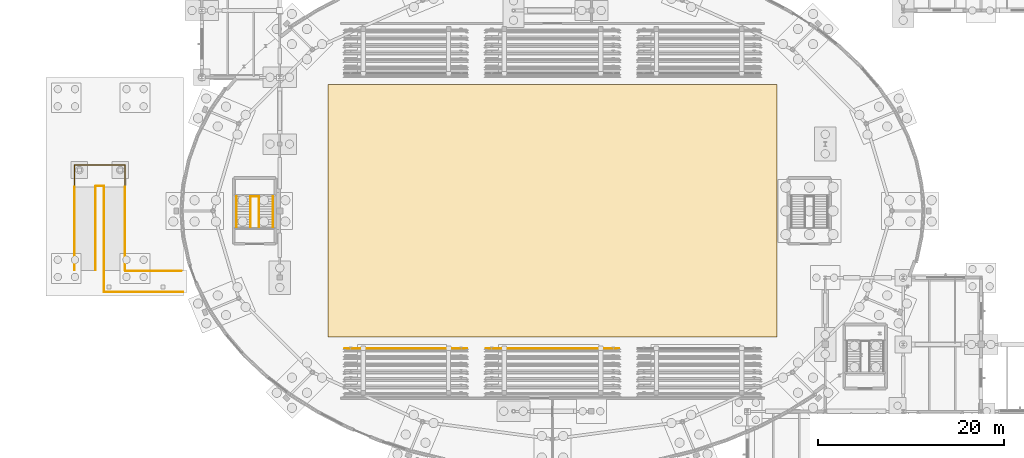
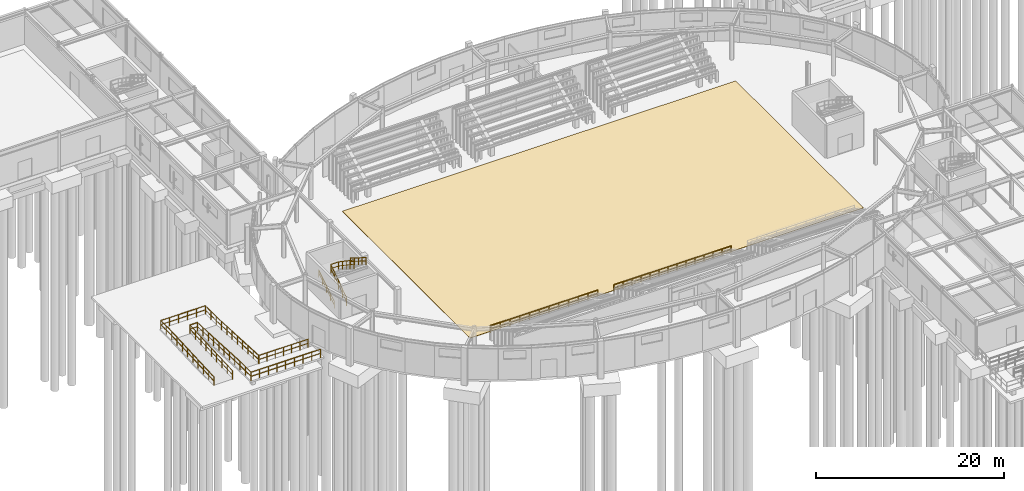
# One storey, part 72 of 93: 15 railings, 1 covering.
"""IFC4 building model written with IfcOpenShell, lengths in metres."""

from ifc_helpers import new_model, si_unit, derived_unit, direction, frame, origin, origin_2d, place, context, subcontext, project, spatial, polyline, circle, outline, extrude, material, layer, layer_set, type_object, element, save


model = new_model("IFC4")

# Units and contexts
model_context = context("Model", 3, precision=1e-05, world=origin(), true_north=direction((0.0, 1.0)))
body_context = subcontext(model_context, "Body", "Model", "MODEL_VIEW")
ifc_project = project(units=[si_unit("LENGTHUNIT", "METRE"), si_unit("AREAUNIT", "SQUARE_METRE"), si_unit("VOLUMEUNIT", "CUBIC_METRE"), si_unit("PLANEANGLEUNIT", "RADIAN"), si_unit("MASSUNIT", "GRAM", prefix="KILO"), derived_unit("THERMALTRANSMITTANCEUNIT", [(si_unit("MASSUNIT", "GRAM", prefix="KILO"), 1), (si_unit("TIMEUNIT", "SECOND"), -3), (si_unit("THERMODYNAMICTEMPERATUREUNIT", "KELVIN"), -1)])], contexts=[model_context])

# Site, building, storey
site_placement = place(None, origin())
site = spatial("IfcSite", under=ifc_project, at=site_placement, CompositionType="ELEMENT")
building_placement = place(site_placement, origin())
building = spatial("IfcBuilding", under=site, at=building_placement, Name="Kharveza Railside Sports Centre", CompositionType="ELEMENT")
storey_placement = place(building_placement, origin())
storey = spatial("IfcBuildingStorey", under=building, at=storey_placement, Name="L00", CompositionType="ELEMENT", Elevation=0.0)

# Covering
ifc_material_1 = material(Name="Sprung maple sports flooring")
ifc_layer = layer(ifc_material_1, 0.044921875, Name="Sprung maple sports flooring")
ifc_layer_set = layer_set([ifc_layer], Name="Sprung maple sports flooring")
covering_type = type_object("IfcCoveringType", Name="CV-FL01", PredefinedType="FLOORING", material=ifc_layer_set)
covering_placement = place(storey_placement, origin())
element("IfcCovering", 1, at=covering_placement, inside=storey, type_object=covering_type, Name="COV-FL-COURT1", PredefinedType="FLOORING", context=body_context, shape_type="SweptSolid", body=[
    extrude(outline(polyline([(30.39990234375, 64.0), (78.800048828125, 64.0), (78.800048828125, 36.800048828125), (30.39990234375, 36.800048828125), (30.39990234375, 64.0)])), origin(), (0.0, 0.0, 1.0), 0.044921875),
])

# Railings
ifc_material_2 = material(Name="Steel S275JR", Category="steel")
railing_type_1 = type_object("IfcRailingType", Name="RL-GD090", PredefinedType="GUARDRAIL", material=ifc_material_2)
railing_1_placement = place(storey_placement, frame((32.199951171875, 35.550048828125, 0.89990234375)))
element("IfcRailing", 2, at=railing_1_placement, inside=storey, type_object=railing_type_1, Name="RL-BOWL-FS-1", PredefinedType="GUARDRAIL", context=body_context, shape_type="SweptSolid", body=[
    extrude(circle(Radius=0.02392578125, at=origin_2d()), frame((0.0, 0.0, 0.8759765625), z_axis=(1.0, 0.0, 0.0), x_axis=(0.0, 1.0, 0.0)), (0.0, 0.0, 1.0), 13.199951171875),
    extrude(circle(Radius=0.01611328125, at=origin_2d()), frame((0.0, 0.0, 0.449951171875), z_axis=(1.0, 0.0, 0.0), x_axis=(0.0, 1.0, 0.0)), (0.0, 0.0, 1.0), 13.199951171875),
    extrude(circle(Radius=0.02099609375, at=origin_2d()), origin(), (0.0, 0.0, 1.0), 0.851806640625),
    extrude(circle(Radius=0.02099609375, at=origin_2d()), frame((1.199951171875, 0.0, 0.0)), (0.0, 0.0, 1.0), 0.851806640625),
    extrude(circle(Radius=0.02099609375, at=origin_2d()), frame((2.39990234375, 0.0, 0.0)), (0.0, 0.0, 1.0), 0.851806640625),
    extrude(circle(Radius=0.02099609375, at=origin_2d()), frame((3.60009765625, 0.0, 0.0)), (0.0, 0.0, 1.0), 0.851806640625),
    extrude(circle(Radius=0.02099609375, at=origin_2d()), frame((4.800048828125, 0.0, 0.0)), (0.0, 0.0, 1.0), 0.851806640625),
    extrude(circle(Radius=0.02099609375, at=origin_2d()), frame((6.0, 0.0, 0.0)), (0.0, 0.0, 1.0), 0.851806640625),
    extrude(circle(Radius=0.02099609375, at=origin_2d()), frame((7.199951171875, 0.0, 0.0)), (0.0, 0.0, 1.0), 0.851806640625),
    extrude(circle(Radius=0.02099609375, at=origin_2d()), frame((8.39990234375, 0.0, 0.0)), (0.0, 0.0, 1.0), 0.851806640625),
    extrude(circle(Radius=0.02099609375, at=origin_2d()), frame((9.599853515625, 0.0, 0.0)), (0.0, 0.0, 1.0), 0.851806640625),
    extrude(circle(Radius=0.02099609375, at=origin_2d()), frame((10.800048828125, 0.0, 0.0)), (0.0, 0.0, 1.0), 0.851806640625),
    extrude(circle(Radius=0.02099609375, at=origin_2d()), frame((12.0, 0.0, 0.0)), (0.0, 0.0, 1.0), 0.851806640625),
    extrude(circle(Radius=0.02099609375, at=origin_2d()), frame((13.199951171875, 0.0, 0.0)), (0.0, 0.0, 1.0), 0.851806640625),
])
railing_2_placement = place(storey_placement, frame((47.39990234375, 35.550048828125, 0.89990234375)))
element("IfcRailing", 3, at=railing_2_placement, inside=storey, type_object=railing_type_1, Name="RL-BOWL-FS-2", PredefinedType="GUARDRAIL", context=body_context, shape_type="SweptSolid", body=[
    extrude(circle(Radius=0.02392578125, at=origin_2d()), frame((0.0, 0.0, 0.8759765625), z_axis=(1.0, 0.0, 0.0), x_axis=(0.0, 1.0, 0.0)), (0.0, 0.0, 1.0), 14.400146484375),
    extrude(circle(Radius=0.01611328125, at=origin_2d()), frame((0.0, 0.0, 0.449951171875), z_axis=(1.0, 0.0, 0.0), x_axis=(0.0, 1.0, 0.0)), (0.0, 0.0, 1.0), 14.400146484375),
    extrude(circle(Radius=0.02099609375, at=origin_2d()), origin(), (0.0, 0.0, 1.0), 0.851806640625),
    extrude(circle(Radius=0.02099609375, at=origin_2d()), frame((1.107666015625, 0.0, 0.0)), (0.0, 0.0, 1.0), 0.851806640625),
    extrude(circle(Radius=0.02099609375, at=origin_2d()), frame((2.21533203125, 0.0, 0.0)), (0.0, 0.0, 1.0), 0.851806640625),
    extrude(circle(Radius=0.02099609375, at=origin_2d()), frame((3.322998046875, 0.0, 0.0)), (0.0, 0.0, 1.0), 0.851806640625),
    extrude(circle(Radius=0.02099609375, at=origin_2d()), frame((4.430908203125, 0.0, 0.0)), (0.0, 0.0, 1.0), 0.851806640625),
    extrude(circle(Radius=0.02099609375, at=origin_2d()), frame((5.53857421875, 0.0, 0.0)), (0.0, 0.0, 1.0), 0.851806640625),
    extrude(circle(Radius=0.02099609375, at=origin_2d()), frame((6.646240234375, 0.0, 0.0)), (0.0, 0.0, 1.0), 0.851806640625),
    extrude(circle(Radius=0.02099609375, at=origin_2d()), frame((7.75390625, 0.0, 0.0)), (0.0, 0.0, 1.0), 0.851806640625),
    extrude(circle(Radius=0.02099609375, at=origin_2d()), frame((8.861572265625, 0.0, 0.0)), (0.0, 0.0, 1.0), 0.851806640625),
    extrude(circle(Radius=0.02099609375, at=origin_2d()), frame((9.96923828125, 0.0, 0.0)), (0.0, 0.0, 1.0), 0.851806640625),
    extrude(circle(Radius=0.02099609375, at=origin_2d()), frame((11.0771484375, 0.0, 0.0)), (0.0, 0.0, 1.0), 0.851806640625),
    extrude(circle(Radius=0.02099609375, at=origin_2d()), frame((12.184814453125, 0.0, 0.0)), (0.0, 0.0, 1.0), 0.851806640625),
    extrude(circle(Radius=0.02099609375, at=origin_2d()), frame((13.29248046875, 0.0, 0.0)), (0.0, 0.0, 1.0), 0.851806640625),
    extrude(circle(Radius=0.02099609375, at=origin_2d()), frame((14.400146484375, 0.0, 0.0)), (0.0, 0.0, 1.0), 0.851806640625),
])
railing_type_2 = type_object("IfcRailingType", Name="RL-GD110", PredefinedType="GUARDRAIL", material=ifc_material_2)
for number, where, name in (
    (4, (3.06005859375, 44.0, -0.89990234375), "RL-DRUMW-FL1-W"),
    (5, (5.340087890625, 44.0, -0.89990234375), "RL-DRUMW-FL1-E"),
):
    element("IfcRailing", number, at=place(storey_placement, frame(where)), inside=storey, type_object=railing_type_2, Name=name, PredefinedType="GUARDRAIL", context=body_context, shape_type="SweptSolid", body=[
        extrude(circle(Radius=0.02392578125, at=origin_2d()), frame((0.0, 0.0, 1.09619140625), z_axis=(0.0, 0.998752609117, 0.049932211876), x_axis=(-1.0, 0.0, 0.0)), (0.0, 0.0, 1.0), 9.01123046875),
        extrude(circle(Radius=0.01611328125, at=origin_2d()), frame((0.0, 0.0, 0.56005859375), z_axis=(0.0, 0.998752609117, 0.049932211876), x_axis=(-1.0, 0.0, 0.0)), (0.0, 0.0, 1.0), 9.01123046875),
        extrude(circle(Radius=0.02099609375, at=origin_2d()), origin(), (0.0, 0.0, 1.0), 1.072021484375),
        extrude(circle(Radius=0.02099609375, at=origin_2d()), frame((0.0, 1.125, 0.05615234375)), (0.0, 0.0, 1.0), 1.072021484375),
        extrude(circle(Radius=0.02099609375, at=origin_2d()), frame((0.0, 2.25, 0.112548828125)), (0.0, 0.0, 1.0), 1.072021484375),
        extrude(circle(Radius=0.02099609375, at=origin_2d()), frame((0.0, 3.375, 0.168701171875)), (0.0, 0.0, 1.0), 1.072021484375),
        extrude(circle(Radius=0.02099609375, at=origin_2d()), frame((0.0, 4.5, 0.22509765625)), (0.0, 0.0, 1.0), 1.072021484375),
        extrude(circle(Radius=0.02099609375, at=origin_2d()), frame((0.0, 5.625, 0.28125)), (0.0, 0.0, 1.0), 1.072021484375),
        extrude(circle(Radius=0.02099609375, at=origin_2d()), frame((0.0, 6.75, 0.33740234375)), (0.0, 0.0, 1.0), 1.072021484375),
        extrude(circle(Radius=0.02099609375, at=origin_2d()), frame((0.0, 7.875, 0.393798828125)), (0.0, 0.0, 1.0), 1.072021484375),
        extrude(circle(Radius=0.02099609375, at=origin_2d()), frame((0.0, 9.0, 0.449951171875)), (0.0, 0.0, 1.0), 1.072021484375),
    ])
for number, where, name in (
    (6, (6.260009765625, 53.0, -0.449951171875), "RL-DRUMW-FL2-W"),
    (7, (8.5400390625, 53.0, -0.449951171875), "RL-DRUMW-FL2-E"),
):
    element("IfcRailing", number, at=place(storey_placement, frame(where)), inside=storey, type_object=railing_type_2, Name=name, PredefinedType="GUARDRAIL", context=body_context, shape_type="SweptSolid", body=[
        extrude(circle(Radius=0.02392578125, at=origin_2d()), frame((0.0, 0.0, 1.09619140625), z_axis=(0.0, -0.998752609117, 0.049932211876), x_axis=(1.0, 0.0, 0.0)), (0.0, 0.0, 1.0), 9.01123046875),
        extrude(circle(Radius=0.01611328125, at=origin_2d()), frame((0.0, 0.0, 0.56005859375), z_axis=(0.0, -0.998752609117, 0.049932211876), x_axis=(1.0, 0.0, 0.0)), (0.0, 0.0, 1.0), 9.01123046875),
        extrude(circle(Radius=0.02099609375, at=origin_2d()), origin(), (0.0, 0.0, 1.0), 1.072021484375),
        extrude(circle(Radius=0.02099609375, at=origin_2d()), frame((0.0, -1.125, 0.05615234375)), (0.0, 0.0, 1.0), 1.072021484375),
        extrude(circle(Radius=0.02099609375, at=origin_2d()), frame((0.0, -2.25, 0.112548828125)), (0.0, 0.0, 1.0), 1.072021484375),
        extrude(circle(Radius=0.02099609375, at=origin_2d()), frame((0.0, -3.375, 0.168701171875)), (0.0, 0.0, 1.0), 1.072021484375),
        extrude(circle(Radius=0.02099609375, at=origin_2d()), frame((0.0, -4.5, 0.22509765625)), (0.0, 0.0, 1.0), 1.072021484375),
        extrude(circle(Radius=0.02099609375, at=origin_2d()), frame((0.0, -5.625, 0.28125)), (0.0, 0.0, 1.0), 1.072021484375),
        extrude(circle(Radius=0.02099609375, at=origin_2d()), frame((0.0, -6.75, 0.33740234375)), (0.0, 0.0, 1.0), 1.072021484375),
        extrude(circle(Radius=0.02099609375, at=origin_2d()), frame((0.0, -7.875, 0.393798828125)), (0.0, 0.0, 1.0), 1.072021484375),
        extrude(circle(Radius=0.02099609375, at=origin_2d()), frame((0.0, -9.0, 0.449951171875)), (0.0, 0.0, 1.0), 1.072021484375),
    ])
railing_3_placement = place(storey_placement, frame((3.06005859375, 53.0, -0.449951171875)))
element("IfcRailing", 8, at=railing_3_placement, inside=storey, type_object=railing_type_2, Name="RL-DRUMW-LND1", PredefinedType="GUARDRAIL", context=body_context, shape_type="SweptSolid", body=[
    extrude(circle(Radius=0.02392578125, at=origin_2d()), frame((0.0, 0.0, 1.09619140625), z_axis=(0.0, 1.0, 0.0), x_axis=(-1.0, 0.0, 0.0)), (0.0, 0.0, 1.0), 2.340087890625),
    extrude(circle(Radius=0.01611328125, at=origin_2d()), frame((0.0, 0.0, 0.56005859375), z_axis=(0.0, 1.0, 0.0), x_axis=(-1.0, 0.0, 0.0)), (0.0, 0.0, 1.0), 2.340087890625),
    extrude(circle(Radius=0.02392578125, at=origin_2d()), frame((0.0, 2.340087890625, 1.09619140625), z_axis=(1.0, 0.0, 0.0), x_axis=(0.0, 1.0, 0.0)), (0.0, 0.0, 1.0), 5.47998046875),
    extrude(circle(Radius=0.01611328125, at=origin_2d()), frame((0.0, 2.340087890625, 0.56005859375), z_axis=(1.0, 0.0, 0.0), x_axis=(0.0, 1.0, 0.0)), (0.0, 0.0, 1.0), 5.47998046875),
    extrude(circle(Radius=0.02392578125, at=origin_2d()), frame((5.47998046875, 2.340087890625, 1.09619140625), z_axis=(0.0, -1.0, 0.0), x_axis=(1.0, 0.0, 0.0)), (0.0, 0.0, 1.0), 2.340087890625),
    extrude(circle(Radius=0.01611328125, at=origin_2d()), frame((5.47998046875, 2.340087890625, 0.56005859375), z_axis=(0.0, -1.0, 0.0), x_axis=(1.0, 0.0, 0.0)), (0.0, 0.0, 1.0), 2.340087890625),
    extrude(circle(Radius=0.02099609375, at=origin_2d()), origin(), (0.0, 0.0, 1.0), 1.072021484375),
    extrude(circle(Radius=0.02099609375, at=origin_2d()), frame((0.0, 1.169921875, 0.0)), (0.0, 0.0, 1.0), 1.072021484375),
    extrude(circle(Radius=0.02099609375, at=origin_2d()), frame((0.0, 2.340087890625, 0.0)), (0.0, 0.0, 1.0), 1.072021484375),
    extrude(circle(Radius=0.02099609375, at=origin_2d()), frame((1.095947265625, 2.340087890625, 0.0)), (0.0, 0.0, 1.0), 1.072021484375),
    extrude(circle(Radius=0.02099609375, at=origin_2d()), frame((2.19189453125, 2.340087890625, 0.0)), (0.0, 0.0, 1.0), 1.072021484375),
    extrude(circle(Radius=0.02099609375, at=origin_2d()), frame((3.2880859375, 2.340087890625, 0.0)), (0.0, 0.0, 1.0), 1.072021484375),
    extrude(circle(Radius=0.02099609375, at=origin_2d()), frame((4.384033203125, 2.340087890625, 0.0)), (0.0, 0.0, 1.0), 1.072021484375),
    extrude(circle(Radius=0.02099609375, at=origin_2d()), frame((5.47998046875, 2.340087890625, 0.0)), (0.0, 0.0, 1.0), 1.072021484375),
    extrude(circle(Radius=0.02099609375, at=origin_2d()), frame((5.47998046875, 1.169921875, 0.0)), (0.0, 0.0, 1.0), 1.072021484375),
    extrude(circle(Radius=0.02099609375, at=origin_2d()), frame((5.47998046875, 0.0, 0.0)), (0.0, 0.0, 1.0), 1.072021484375),
])
railing_4_placement = place(storey_placement, frame((5.340087890625, 53.06005859375, -0.449951171875)))
element("IfcRailing", 9, at=railing_4_placement, inside=storey, type_object=railing_type_2, Name="RL-DRUMW-LND1-SLOT", PredefinedType="GUARDRAIL", context=body_context, shape_type="SweptSolid", body=[
    extrude(circle(Radius=0.02392578125, at=origin_2d()), frame((0.0, 0.0, 1.09619140625), z_axis=(1.0, 0.0, 0.0), x_axis=(0.0, 1.0, 0.0)), (0.0, 0.0, 1.0), 0.919921875),
    extrude(circle(Radius=0.01611328125, at=origin_2d()), frame((0.0, 0.0, 0.56005859375), z_axis=(1.0, 0.0, 0.0), x_axis=(0.0, 1.0, 0.0)), (0.0, 0.0, 1.0), 0.919921875),
    extrude(circle(Radius=0.02099609375, at=origin_2d()), origin(), (0.0, 0.0, 1.0), 1.072021484375),
    extrude(circle(Radius=0.02099609375, at=origin_2d()), frame((0.919921875, 0.0, 0.0)), (0.0, 0.0, 1.0), 1.072021484375),
])
railing_5_placement = place(storey_placement, frame((6.260009765625, 44.0, 0.0)))
element("IfcRailing", 10, at=railing_5_placement, inside=storey, type_object=railing_type_2, Name="RL-DRUMW-LND2", PredefinedType="GUARDRAIL", context=body_context, shape_type="SweptSolid", body=[
    extrude(circle(Radius=0.02392578125, at=origin_2d()), frame((0.0, 0.0, 1.09619140625), z_axis=(0.0, -1.0, 0.0), x_axis=(1.0, 0.0, 0.0)), (0.0, 0.0, 1.0), 2.340087890625),
    extrude(circle(Radius=0.01611328125, at=origin_2d()), frame((0.0, 0.0, 0.56005859375), z_axis=(0.0, -1.0, 0.0), x_axis=(1.0, 0.0, 0.0)), (0.0, 0.0, 1.0), 2.340087890625),
    extrude(circle(Radius=0.02392578125, at=origin_2d()), frame((0.0, -2.340087890625, 1.09619140625), z_axis=(1.0, 0.0, 0.0), x_axis=(0.0, 1.0, 0.0)), (0.0, 0.0, 1.0), 8.5400390625),
    extrude(circle(Radius=0.01611328125, at=origin_2d()), frame((0.0, -2.340087890625, 0.56005859375), z_axis=(1.0, 0.0, 0.0), x_axis=(0.0, 1.0, 0.0)), (0.0, 0.0, 1.0), 8.5400390625),
    extrude(circle(Radius=0.02099609375, at=origin_2d()), origin(), (0.0, 0.0, 1.0), 1.072021484375),
    extrude(circle(Radius=0.02099609375, at=origin_2d()), frame((0.0, -1.169921875, 0.0)), (0.0, 0.0, 1.0), 1.072021484375),
    extrude(circle(Radius=0.02099609375, at=origin_2d()), frame((0.0, -2.340087890625, 0.0)), (0.0, 0.0, 1.0), 1.072021484375),
    extrude(circle(Radius=0.02099609375, at=origin_2d()), frame((1.0673828125, -2.340087890625, 0.0)), (0.0, 0.0, 1.0), 1.072021484375),
    extrude(circle(Radius=0.02099609375, at=origin_2d()), frame((2.135009765625, -2.340087890625, 0.0)), (0.0, 0.0, 1.0), 1.072021484375),
    extrude(circle(Radius=0.02099609375, at=origin_2d()), frame((3.20263671875, -2.340087890625, 0.0)), (0.0, 0.0, 1.0), 1.072021484375),
    extrude(circle(Radius=0.02099609375, at=origin_2d()), frame((4.27001953125, -2.340087890625, 0.0)), (0.0, 0.0, 1.0), 1.072021484375),
    extrude(circle(Radius=0.02099609375, at=origin_2d()), frame((5.33740234375, -2.340087890625, 0.0)), (0.0, 0.0, 1.0), 1.072021484375),
    extrude(circle(Radius=0.02099609375, at=origin_2d()), frame((6.405029296875, -2.340087890625, 0.0)), (0.0, 0.0, 1.0), 1.072021484375),
    extrude(circle(Radius=0.02099609375, at=origin_2d()), frame((7.47265625, -2.340087890625, 0.0)), (0.0, 0.0, 1.0), 1.072021484375),
    extrude(circle(Radius=0.02099609375, at=origin_2d()), frame((8.5400390625, -2.340087890625, 0.0)), (0.0, 0.0, 1.0), 1.072021484375),
])
railing_6_placement = place(storey_placement, frame((8.5400390625, 43.93994140625, 0.0)))
element("IfcRailing", 11, at=railing_6_placement, inside=storey, type_object=railing_type_2, Name="RL-DRUMW-LND2-N", PredefinedType="GUARDRAIL", context=body_context, shape_type="SweptSolid", body=[
    extrude(circle(Radius=0.02392578125, at=origin_2d()), frame((0.0, 0.0, 1.09619140625), z_axis=(1.0, 0.0, 0.0), x_axis=(0.0, 1.0, 0.0)), (0.0, 0.0, 1.0), 6.06005859375),
    extrude(circle(Radius=0.01611328125, at=origin_2d()), frame((0.0, 0.0, 0.56005859375), z_axis=(1.0, 0.0, 0.0), x_axis=(0.0, 1.0, 0.0)), (0.0, 0.0, 1.0), 6.06005859375),
    extrude(circle(Radius=0.02099609375, at=origin_2d()), origin(), (0.0, 0.0, 1.0), 1.072021484375),
    extrude(circle(Radius=0.02099609375, at=origin_2d()), frame((1.010009765625, 0.0, 0.0)), (0.0, 0.0, 1.0), 1.072021484375),
    extrude(circle(Radius=0.02099609375, at=origin_2d()), frame((2.02001953125, 0.0, 0.0)), (0.0, 0.0, 1.0), 1.072021484375),
    extrude(circle(Radius=0.02099609375, at=origin_2d()), frame((3.030029296875, 0.0, 0.0)), (0.0, 0.0, 1.0), 1.072021484375),
    extrude(circle(Radius=0.02099609375, at=origin_2d()), frame((4.0400390625, 0.0, 0.0)), (0.0, 0.0, 1.0), 1.072021484375),
    extrude(circle(Radius=0.02099609375, at=origin_2d()), frame((5.050048828125, 0.0, 0.0)), (0.0, 0.0, 1.0), 1.072021484375),
    extrude(circle(Radius=0.02099609375, at=origin_2d()), frame((6.06005859375, 0.0, 0.0)), (0.0, 0.0, 1.0), 1.072021484375),
])
railing_7_placement = place(storey_placement, frame((22.030029296875, 48.659912109375, 0.0)))
element("IfcRailing", 12, at=railing_7_placement, inside=storey, type_object=railing_type_2, Name="STR-ST7-L00-GD1", PredefinedType="GUARDRAIL", context=body_context, shape_type="SweptSolid", body=[
    extrude(circle(Radius=0.02392578125, at=origin_2d()), frame((0.0, 0.0, 1.09619140625), z_axis=(0.0, 0.826231222393, 0.56333113454), x_axis=(-1.0, 0.0, 0.0)), (0.0, 0.0, 1.0), 3.994140625),
    extrude(circle(Radius=0.01611328125, at=origin_2d()), frame((0.0, 0.0, 0.56005859375), z_axis=(0.0, 0.826231222393, 0.56333113454), x_axis=(-1.0, 0.0, 0.0)), (0.0, 0.0, 1.0), 3.994140625),
    extrude(circle(Radius=0.02099609375, at=origin_2d()), origin(), (0.0, 0.0, 1.0), 1.072021484375),
    extrude(circle(Radius=0.02099609375, at=origin_2d()), frame((0.0, 0.824951171875, 0.5625)), (0.0, 0.0, 1.0), 1.072021484375),
    extrude(circle(Radius=0.02099609375, at=origin_2d()), frame((0.0, 1.64990234375, 1.125)), (0.0, 0.0, 1.0), 1.072021484375),
    extrude(circle(Radius=0.02099609375, at=origin_2d()), frame((0.0, 2.47509765625, 1.6875)), (0.0, 0.0, 1.0), 1.072021484375),
    extrude(circle(Radius=0.02099609375, at=origin_2d()), frame((0.0, 3.300048828125, 2.25)), (0.0, 0.0, 1.0), 1.072021484375),
])
railing_8_placement = place(storey_placement, frame((22.969970703125, 51.9599609375, 2.25)))
element("IfcRailing", 13, at=railing_8_placement, inside=storey, type_object=railing_type_2, Name="STR-ST7-L00-GD2", PredefinedType="GUARDRAIL", context=body_context, shape_type="SweptSolid", body=[
    extrude(circle(Radius=0.02392578125, at=origin_2d()), frame((0.0, 0.0, 1.09619140625), z_axis=(0.0, -0.826231222393, 0.56333113454), x_axis=(1.0, 0.0, 0.0)), (0.0, 0.0, 1.0), 3.994140625),
    extrude(circle(Radius=0.01611328125, at=origin_2d()), frame((0.0, 0.0, 0.56005859375), z_axis=(0.0, -0.826231222393, 0.56333113454), x_axis=(1.0, 0.0, 0.0)), (0.0, 0.0, 1.0), 3.994140625),
    extrude(circle(Radius=0.02099609375, at=origin_2d()), origin(), (0.0, 0.0, 1.0), 1.072021484375),
    extrude(circle(Radius=0.02099609375, at=origin_2d()), frame((0.0, -0.824951171875, 0.5625)), (0.0, 0.0, 1.0), 1.072021484375),
    extrude(circle(Radius=0.02099609375, at=origin_2d()), frame((0.0, -1.64990234375, 1.125)), (0.0, 0.0, 1.0), 1.072021484375),
    extrude(circle(Radius=0.02099609375, at=origin_2d()), frame((0.0, -2.47509765625, 1.6875)), (0.0, 0.0, 1.0), 1.072021484375),
    extrude(circle(Radius=0.02099609375, at=origin_2d()), frame((0.0, -3.300048828125, 2.25)), (0.0, 0.0, 1.0), 1.072021484375),
])
railing_9_placement = place(storey_placement, frame((22.030029296875, 51.9599609375, 2.25)))
element("IfcRailing", 14, at=railing_9_placement, inside=storey, type_object=railing_type_2, Name="STR-ST7-L00-GDH", PredefinedType="GUARDRAIL", context=body_context, shape_type="SweptSolid", body=[
    extrude(circle(Radius=0.02392578125, at=origin_2d()), frame((0.0, 0.0, 1.09619140625), z_axis=(1.0, 0.0, 0.0), x_axis=(0.0, 1.0, 0.0)), (0.0, 0.0, 1.0), 0.93994140625),
    extrude(circle(Radius=0.01611328125, at=origin_2d()), frame((0.0, 0.0, 0.56005859375), z_axis=(1.0, 0.0, 0.0), x_axis=(0.0, 1.0, 0.0)), (0.0, 0.0, 1.0), 0.93994140625),
    extrude(circle(Radius=0.02099609375, at=origin_2d()), origin(), (0.0, 0.0, 1.0), 1.072021484375),
    extrude(circle(Radius=0.02099609375, at=origin_2d()), frame((0.93994140625, 0.0, 0.0)), (0.0, 0.0, 1.0), 1.072021484375),
])
railing_type_3 = type_object("IfcRailingType", Name="RL-HR092", PredefinedType="HANDRAIL", material=ifc_material_2)
railing_10_placement = place(storey_placement, frame((20.5400390625, 48.659912109375, 0.173095703125)))
element("IfcRailing", 15, at=railing_10_placement, inside=storey, type_object=railing_type_3, Name="STR-ST7-L00-HR1", PredefinedType="HANDRAIL", context=body_context, shape_type="SweptSolid", body=[
    extrude(circle(Radius=0.02392578125, at=origin_2d()), frame((0.0, 0.0, 0.89599609375), z_axis=(0.0, 0.846337383501, 0.532647194011), x_axis=(-1.0, 0.0, 0.0)), (0.0, 0.0, 1.0), 3.899169921875),
    extrude(circle(Radius=0.01611328125, at=origin_2d()), frame((0.0, 0.0, 0.4599609375), z_axis=(0.0, 0.846337383501, 0.532647194011), x_axis=(-1.0, 0.0, 0.0)), (0.0, 0.0, 1.0), 3.899169921875),
    extrude(circle(Radius=0.02099609375, at=origin_2d()), origin(), (0.0, 0.0, 1.0), 0.871826171875),
    extrude(circle(Radius=0.02099609375, at=origin_2d()), frame((0.0, 0.824951171875, 0.519287109375)), (0.0, 0.0, 1.0), 0.871826171875),
    extrude(circle(Radius=0.02099609375, at=origin_2d()), frame((0.0, 1.64990234375, 1.03857421875)), (0.0, 0.0, 1.0), 0.871826171875),
    extrude(circle(Radius=0.02099609375, at=origin_2d()), frame((0.0, 2.47509765625, 1.5576171875)), (0.0, 0.0, 1.0), 0.871826171875),
    extrude(circle(Radius=0.02099609375, at=origin_2d()), frame((0.0, 3.300048828125, 2.076904296875)), (0.0, 0.0, 1.0), 0.871826171875),
])
railing_11_placement = place(storey_placement, frame((24.4599609375, 51.9599609375, 2.423095703125)))
element("IfcRailing", 16, at=railing_11_placement, inside=storey, type_object=railing_type_3, Name="STR-ST7-L00-HR2", PredefinedType="HANDRAIL", context=body_context, shape_type="SweptSolid", body=[
    extrude(circle(Radius=0.02392578125, at=origin_2d()), frame((0.0, 0.0, 0.89599609375), z_axis=(0.0, -0.846337383501, 0.532647194011), x_axis=(1.0, 0.0, 0.0)), (0.0, 0.0, 1.0), 3.899169921875),
    extrude(circle(Radius=0.01611328125, at=origin_2d()), frame((0.0, 0.0, 0.4599609375), z_axis=(0.0, -0.846337383501, 0.532647194011), x_axis=(1.0, 0.0, 0.0)), (0.0, 0.0, 1.0), 3.899169921875),
    extrude(circle(Radius=0.02099609375, at=origin_2d()), origin(), (0.0, 0.0, 1.0), 0.871826171875),
    extrude(circle(Radius=0.02099609375, at=origin_2d()), frame((0.0, -0.824951171875, 0.519287109375)), (0.0, 0.0, 1.0), 0.871826171875),
    extrude(circle(Radius=0.02099609375, at=origin_2d()), frame((0.0, -1.64990234375, 1.03857421875)), (0.0, 0.0, 1.0), 0.871826171875),
    extrude(circle(Radius=0.02099609375, at=origin_2d()), frame((0.0, -2.47509765625, 1.5576171875)), (0.0, 0.0, 1.0), 0.871826171875),
    extrude(circle(Radius=0.02099609375, at=origin_2d()), frame((0.0, -3.300048828125, 2.076904296875)), (0.0, 0.0, 1.0), 0.871826171875),
])

save(model, "model.ifc")
